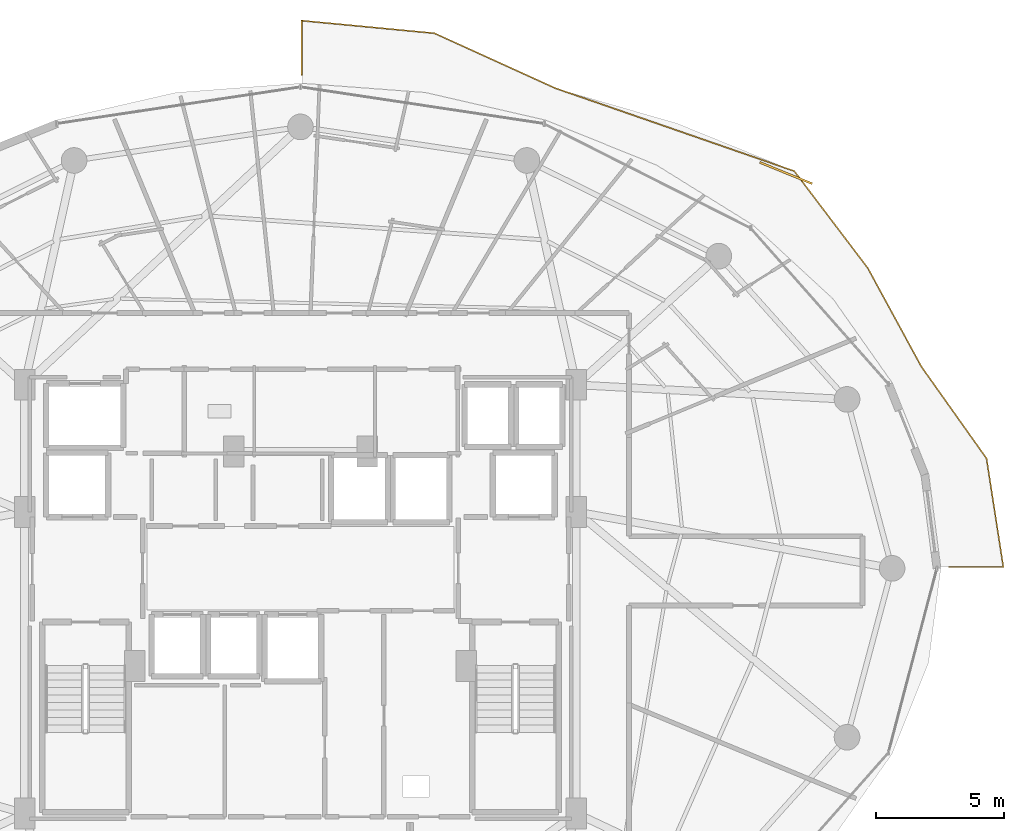
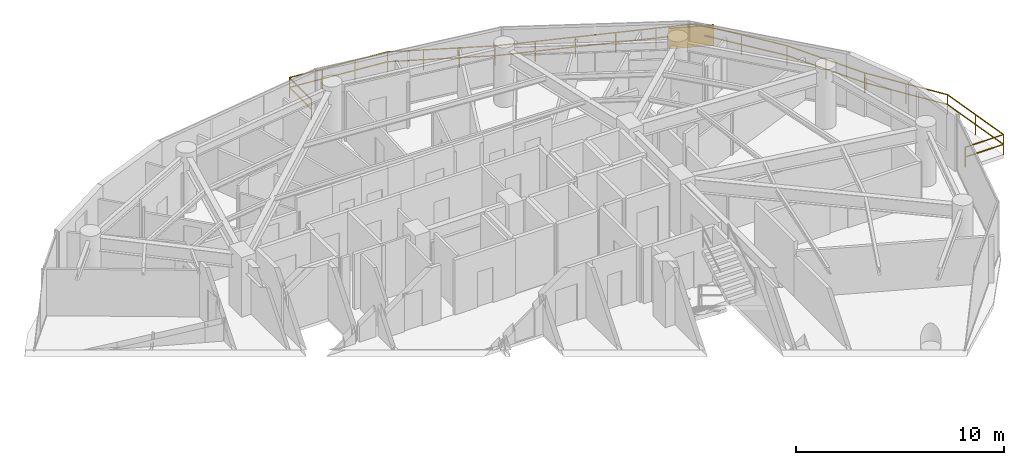
# One storey, part 27 of 28: 2 railings, 1 shading device.
"""IFC4 building model written with IfcOpenShell, lengths in metres."""

from ifc_helpers import new_model, si_unit, direction, frame, origin, origin_2d, place, context, subcontext, project, spatial, rectangle, extrude, material, type_object, element, save


model = new_model("IFC4")

# Units and contexts
model_context = context("Model", 3, precision=1e-05, world=origin(), true_north=direction((0.0, 1.0)))
body_context = subcontext(model_context, "Body", "Model", "MODEL_VIEW")
ifc_project = project(units=[si_unit("LENGTHUNIT", "METRE"), si_unit("AREAUNIT", "SQUARE_METRE"), si_unit("VOLUMEUNIT", "CUBIC_METRE"), si_unit("PLANEANGLEUNIT", "RADIAN"), si_unit("MASSUNIT", "GRAM", prefix="KILO")], contexts=[model_context])

# Site, building, storey
site_placement = place(None, origin())
site = spatial("IfcSite", under=ifc_project, at=site_placement, CompositionType="ELEMENT")
building_placement = place(site_placement, origin())
building = spatial("IfcBuilding", under=site, at=building_placement, Name="Vorneva Point Tower", CompositionType="ELEMENT")
storey_placement = place(building_placement, frame((0.0, 0.0, 146.60009765625)))
storey = spatial("IfcBuildingStorey", under=building, at=storey_placement, Name="L39", CompositionType="ELEMENT", Elevation=146.60009765625)

# Railings
ifc_material = material(Name="Pale anodised aluminium", Category="aluminium")
railing_type = type_object("IfcRailingType", Name="RL-BAL-1200", PredefinedType="BALUSTRADE", material=ifc_material)
railing_1_placement = place(storey_placement, frame((38.050048828125, 47.34033203125, 0.0)))
element("IfcRailing", 1, at=railing_1_placement, inside=storey, type_object=railing_type, Name="L39 Wave Balcony Balustrade NE.1", PredefinedType="BALUSTRADE", context=body_context, shape_type="SweptSolid", body=[
    extrude(rectangle(XDim=0.048095703125, YDim=0.048095703125, at=origin_2d()), frame((0.0, 0.0, 1.17578125), z_axis=(0.0, -1.0, 0.0), x_axis=(1.0, 0.0, 0.0)), (0.0, 0.0, 1.0), 2.123046875),
    extrude(rectangle(XDim=0.048095703125, YDim=0.048095703125, at=origin_2d()), frame((0.0, 0.0, 0.60009765625), z_axis=(0.0, -1.0, 0.0), x_axis=(1.0, 0.0, 0.0)), (0.0, 0.0, 1.0), 2.123046875),
    extrude(rectangle(XDim=0.0419921875, YDim=0.0419921875, at=origin_2d()), origin(), (0.0, 0.0, 1.0), 1.15185546875),
    extrude(rectangle(XDim=0.0419921875, YDim=0.0419921875, at=origin_2d()), frame((0.0, -2.123046875, 0.0)), (0.0, 0.0, 1.0), 1.15185546875),
])
railing_2_placement = place(storey_placement, frame((63.26611328125, 26.050048828125, 0.0)))
element("IfcRailing", 2, at=railing_2_placement, inside=storey, type_object=railing_type, Name="L39 Wave Balcony Balustrade NE.2", PredefinedType="BALUSTRADE", context=body_context, shape_type="SweptSolid", body=[
    extrude(rectangle(XDim=0.048095703125, YDim=0.048095703125, at=origin_2d()), frame((0.0, 0.0, 1.17578125), z_axis=(1.0, 0.0, 0.0), x_axis=(0.0, 1.0, 0.0)), (0.0, 0.0, 1.0), 2.12109375),
    extrude(rectangle(XDim=0.048095703125, YDim=0.048095703125, at=origin_2d()), frame((0.0, 0.0, 0.60009765625), z_axis=(1.0, 0.0, 0.0), x_axis=(0.0, 1.0, 0.0)), (0.0, 0.0, 1.0), 2.12109375),
    extrude(rectangle(XDim=0.048095703125, YDim=0.048095703125, at=origin_2d()), frame((2.12109375, 0.0, 1.17578125), z_axis=(-0.152819853891, 0.988254062606, 0.0), x_axis=(-0.988254062606, -0.152819853891, 0.0)), (0.0, 0.0, 1.0), 4.281494140625),
    extrude(rectangle(XDim=0.048095703125, YDim=0.048095703125, at=origin_2d()), frame((2.12109375, 0.0, 0.60009765625), z_axis=(-0.152819853891, 0.988254062606, 0.0), x_axis=(-0.988254062606, -0.152819853891, 0.0)), (0.0, 0.0, 1.0), 4.281494140625),
    extrude(rectangle(XDim=0.048095703125, YDim=0.048095703125, at=origin_2d()), frame((1.466796875, 4.231201171875, 1.17578125), z_axis=(-0.578792383577, 0.815474939354, 0.0), x_axis=(-0.815474939354, -0.578792383577, 0.0)), (0.0, 0.0, 1.0), 4.385986328125),
    extrude(rectangle(XDim=0.048095703125, YDim=0.048095703125, at=origin_2d()), frame((1.466796875, 4.231201171875, 0.60009765625), z_axis=(-0.578792383577, 0.815474939354, 0.0), x_axis=(-0.815474939354, -0.578792383577, 0.0)), (0.0, 0.0, 1.0), 4.385986328125),
    extrude(rectangle(XDim=0.048095703125, YDim=0.048095703125, at=origin_2d()), frame((-1.07177734375, 7.807861328125, 1.17578125), z_axis=(-0.47774095838, 0.878500755086, 0.0), x_axis=(-0.878500755086, -0.47774095838, 0.0)), (0.0, 0.0, 1.0), 4.373291015625),
    extrude(rectangle(XDim=0.048095703125, YDim=0.048095703125, at=origin_2d()), frame((-1.07177734375, 7.807861328125, 0.60009765625), z_axis=(-0.47774095838, 0.878500755086, 0.0), x_axis=(-0.878500755086, -0.47774095838, 0.0)), (0.0, 0.0, 1.0), 4.373291015625),
    extrude(rectangle(XDim=0.048095703125, YDim=0.048095703125, at=origin_2d()), frame((-3.1611328125, 11.64990234375, 1.17578125), z_axis=(-0.604031248899, 0.796960632876, 0.0), x_axis=(-0.796960632876, -0.604031248899, 0.0)), (0.0, 0.0, 1.0), 4.739013671875),
    extrude(rectangle(XDim=0.048095703125, YDim=0.048095703125, at=origin_2d()), frame((-3.1611328125, 11.64990234375, 0.60009765625), z_axis=(-0.604031248899, 0.796960632876, 0.0), x_axis=(-0.796960632876, -0.604031248899, 0.0)), (0.0, 0.0, 1.0), 4.739013671875),
    extrude(rectangle(XDim=0.048095703125, YDim=0.048095703125, at=origin_2d()), frame((-6.023681640625, 15.4267578125, 1.17578125), z_axis=(-0.944758021877, 0.327768638064, 0.0), x_axis=(-0.327768638064, -0.944758021877, 0.0)), (0.0, 0.0, 1.0), 9.848388671875),
    extrude(rectangle(XDim=0.048095703125, YDim=0.048095703125, at=origin_2d()), frame((-6.023681640625, 15.4267578125, 0.60009765625), z_axis=(-0.944758021877, 0.327768638064, 0.0), x_axis=(-0.327768638064, -0.944758021877, 0.0)), (0.0, 0.0, 1.0), 9.848388671875),
    extrude(rectangle(XDim=0.048095703125, YDim=0.048095703125, at=origin_2d()), frame((-15.328125, 18.65478515625, 1.17578125), z_axis=(-0.910479294849, 0.413554656184, 0.0), x_axis=(-0.413554656184, -0.910479294849, 0.0)), (0.0, 0.0, 1.0), 5.186279296875),
    extrude(rectangle(XDim=0.048095703125, YDim=0.048095703125, at=origin_2d()), frame((-15.328125, 18.65478515625, 0.60009765625), z_axis=(-0.910479294849, 0.413554656184, 0.0), x_axis=(-0.413554656184, -0.910479294849, 0.0)), (0.0, 0.0, 1.0), 5.186279296875),
    extrude(rectangle(XDim=0.048095703125, YDim=0.048095703125, at=origin_2d()), frame((-20.050048828125, 20.799560546875, 1.17578125), z_axis=(-0.995518701925, 0.094564867243, 0.0), x_axis=(-0.094564867243, -0.995518701925, 0.0)), (0.0, 0.0, 1.0), 5.189208984375),
    extrude(rectangle(XDim=0.048095703125, YDim=0.048095703125, at=origin_2d()), frame((-20.050048828125, 20.799560546875, 0.60009765625), z_axis=(-0.995518701925, 0.094564867243, 0.0), x_axis=(-0.094564867243, -0.995518701925, 0.0)), (0.0, 0.0, 1.0), 5.189208984375),
    extrude(rectangle(XDim=0.0419921875, YDim=0.0419921875, at=origin_2d()), origin(), (0.0, 0.0, 1.0), 1.15185546875),
    extrude(rectangle(XDim=0.0419921875, YDim=0.0419921875, at=origin_2d()), frame((2.12109375, 0.0, 0.0)), (0.0, 0.0, 1.0), 1.15185546875),
    extrude(rectangle(XDim=0.0419921875, YDim=0.0419921875, at=origin_2d()), frame((1.7939453125, 2.11572265625, 0.0)), (0.0, 0.0, 1.0), 1.15185546875),
    extrude(rectangle(XDim=0.0419921875, YDim=0.0419921875, at=origin_2d()), frame((1.466796875, 4.231201171875, 0.0)), (0.0, 0.0, 1.0), 1.15185546875),
    extrude(rectangle(XDim=0.0419921875, YDim=0.0419921875, at=origin_2d()), frame((0.197509765625, 6.01953125, 0.0)), (0.0, 0.0, 1.0), 1.15185546875),
    extrude(rectangle(XDim=0.0419921875, YDim=0.0419921875, at=origin_2d()), frame((-1.07177734375, 7.807861328125, 0.0)), (0.0, 0.0, 1.0), 1.15185546875),
    extrude(rectangle(XDim=0.0419921875, YDim=0.0419921875, at=origin_2d()), frame((-2.116455078125, 9.72900390625, 0.0)), (0.0, 0.0, 1.0), 1.15185546875),
    extrude(rectangle(XDim=0.0419921875, YDim=0.0419921875, at=origin_2d()), frame((-3.1611328125, 11.64990234375, 0.0)), (0.0, 0.0, 1.0), 1.15185546875),
    extrude(rectangle(XDim=0.0419921875, YDim=0.0419921875, at=origin_2d()), frame((-4.59228515625, 13.538330078125, 0.0)), (0.0, 0.0, 1.0), 1.15185546875),
    extrude(rectangle(XDim=0.0419921875, YDim=0.0419921875, at=origin_2d()), frame((-6.023681640625, 15.4267578125, 0.0)), (0.0, 0.0, 1.0), 1.15185546875),
    extrude(rectangle(XDim=0.0419921875, YDim=0.0419921875, at=origin_2d()), frame((-7.884521484375, 16.072265625, 0.0)), (0.0, 0.0, 1.0), 1.15185546875),
    extrude(rectangle(XDim=0.0419921875, YDim=0.0419921875, at=origin_2d()), frame((-9.745361328125, 16.718017578125, 0.0)), (0.0, 0.0, 1.0), 1.15185546875),
    extrude(rectangle(XDim=0.0419921875, YDim=0.0419921875, at=origin_2d()), frame((-11.6064453125, 17.363525390625, 0.0)), (0.0, 0.0, 1.0), 1.15185546875),
    extrude(rectangle(XDim=0.0419921875, YDim=0.0419921875, at=origin_2d()), frame((-13.46728515625, 18.00927734375, 0.0)), (0.0, 0.0, 1.0), 1.15185546875),
    extrude(rectangle(XDim=0.0419921875, YDim=0.0419921875, at=origin_2d()), frame((-15.328125, 18.65478515625, 0.0)), (0.0, 0.0, 1.0), 1.15185546875),
    extrude(rectangle(XDim=0.0419921875, YDim=0.0419921875, at=origin_2d()), frame((-16.902099609375, 19.36962890625, 0.0)), (0.0, 0.0, 1.0), 1.15185546875),
    extrude(rectangle(XDim=0.0419921875, YDim=0.0419921875, at=origin_2d()), frame((-18.47607421875, 20.084716796875, 0.0)), (0.0, 0.0, 1.0), 1.15185546875),
    extrude(rectangle(XDim=0.0419921875, YDim=0.0419921875, at=origin_2d()), frame((-20.050048828125, 20.799560546875, 0.0)), (0.0, 0.0, 1.0), 1.15185546875),
    extrude(rectangle(XDim=0.0419921875, YDim=0.0419921875, at=origin_2d()), frame((-21.77197265625, 20.963134765625, 0.0)), (0.0, 0.0, 1.0), 1.15185546875),
    extrude(rectangle(XDim=0.0419921875, YDim=0.0419921875, at=origin_2d()), frame((-23.494140625, 21.126708984375, 0.0)), (0.0, 0.0, 1.0), 1.15185546875),
    extrude(rectangle(XDim=0.0419921875, YDim=0.0419921875, at=origin_2d()), frame((-25.216064453125, 21.290283203125, 0.0)), (0.0, 0.0, 1.0), 1.15185546875),
])

# Shading device
shading_device_type = type_object("IfcShadingDeviceType", Name="SHD-JAL-1200", PredefinedType="JALOUSIE", material=ifc_material)
shading_device_placement = place(storey_placement, frame((56.916015625, 41.401123046875, -0.02001953125), z_axis=(0.0, 0.0, 1.0), x_axis=(-0.926272328518, 0.376854843968, 0.0)))
element("IfcShadingDevice", 3, at=shading_device_placement, inside=storey, type_object=shading_device_type, Name="L39 Balcony Vertical-Greenery Planter Screen NE.2", PredefinedType="JALOUSIE", context=body_context, shape_type="SweptSolid", body=[
    extrude(rectangle(XDim=2.199951171875, YDim=0.080078125, at=origin_2d()), origin(), (0.0, 0.0, 1.0), 1.199951171875),
])

save(model, "model.ifc")
